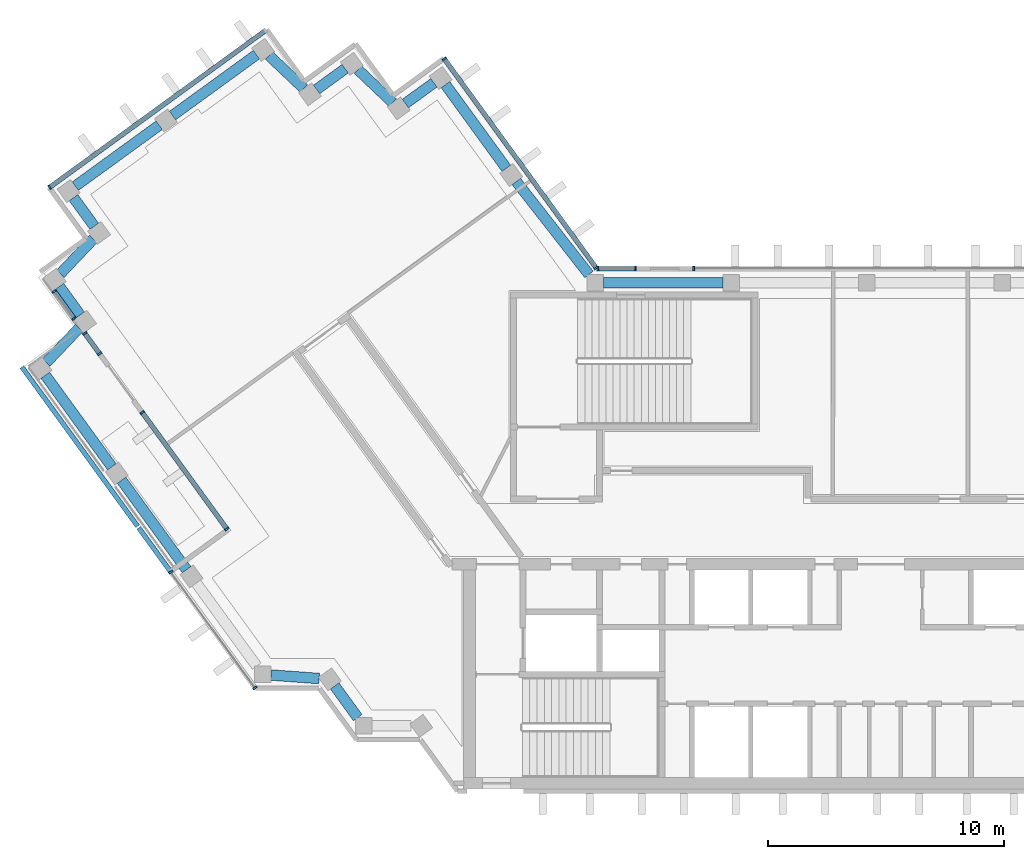
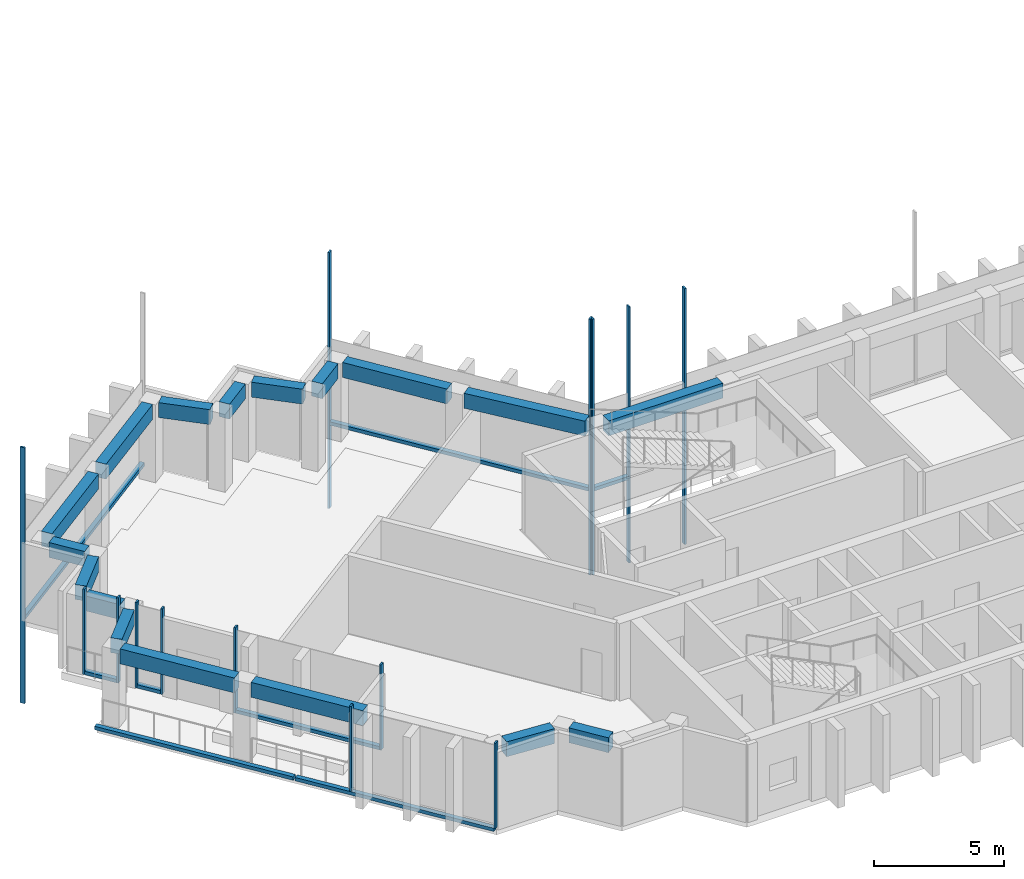
"""IFC4 building model written with IfcOpenShell, lengths in metres."""

from ifc_helpers import new_model, si_unit, direction, frame, origin, origin_2d, place, context, subcontext, project, spatial, rectangle, extrude, material, material_profile, profile_set, type_object, element, aggregate, save


model = new_model("IFC4")

# Units and contexts
model_context = context("Model", 3, precision=1e-05, world=origin(), true_north=direction((0.0, 1.0)))
body_context = subcontext(model_context, "Body", "Model", "MODEL_VIEW")
ifc_project = project(units=[si_unit("LENGTHUNIT", "METRE"), si_unit("AREAUNIT", "SQUARE_METRE"), si_unit("VOLUMEUNIT", "CUBIC_METRE"), si_unit("PLANEANGLEUNIT", "RADIAN"), si_unit("MASSUNIT", "GRAM", prefix="KILO")], contexts=[model_context])

# Site, building, storey
site_placement = place(None, origin())
site = spatial("IfcSite", under=ifc_project, at=site_placement, CompositionType="ELEMENT")
building_placement = place(site_placement, origin())
building = spatial("IfcBuilding", under=site, at=building_placement, Name="Quipu Civic Tower", CompositionType="ELEMENT")
storey_1_placement = place(building_placement, frame((0.0, 0.0, 257.0)))
storey_1 = spatial("IfcBuildingStorey", under=building, at=storey_1_placement, Name="L60", CompositionType="ELEMENT", Elevation=257.0)

# Curtain wall, members
ifc_material_1 = material(Name="Insulated glass unit", Category="glass")
curtain_wall_type = type_object("IfcCurtainWallType", Name="Office curtain wall CW1", PredefinedType="NOTDEFINED", material=ifc_material_1)
curtain_wall_1_placement = place(storey_1_placement, origin())
curtain_wall_1 = element("IfcCurtainWall", 1, at=curtain_wall_1_placement, inside=storey_1, type_object=curtain_wall_type, Name="Office curtain wall CW1 L60 run 2", PredefinedType="NOTDEFINED")
ifc_material_2 = material(Name="Anodised aluminium", Category="aluminium")
ifc_material_profile_1 = material_profile(ifc_material_2, rectangle(XDim=0.199951171875, YDim=0.080078125, at=origin_2d()), Name="RECT 200x80")
ifc_profile_set_1 = profile_set([ifc_material_profile_1], Name="Anodised aluminium")
member_type_1 = type_object("IfcMemberType", Name="Mullion CW1", PredefinedType="MULLION", material=ifc_profile_set_1)
member_1_placement = place(storey_1_placement, frame((-37.3740234375, 10.1328125, 0.080078125), z_axis=(0.0, 0.0, 1.0), x_axis=(0.809027142165, 0.587771284804, 0.0)))
member_1 = element("IfcMember", 2, at=member_1_placement, type_object=member_type_1, Name="CW1 mullion 1", PredefinedType="MULLION", context=body_context, shape_type="SweptSolid", body=[
    extrude(rectangle(XDim=0.199951171875, YDim=0.080078125, at=origin_2d()), origin(), (0.0, 0.0, 1.0), 4.0),
])
member_2_placement = place(storey_1_placement, frame((-36.539306640625, 8.98388671875, 0.080078125), z_axis=(0.0, 0.0, 1.0), x_axis=(0.809027142165, 0.587771284804, 0.0)))
member_2 = element("IfcMember", 3, at=member_2_placement, type_object=member_type_1, Name="CW1 mullion 2", PredefinedType="MULLION", context=body_context, shape_type="SweptSolid", body=[
    extrude(rectangle(XDim=0.199951171875, YDim=0.080078125, at=origin_2d()), origin(), (0.0, 0.0, 1.0), 4.0),
])

curtain_wall_2_placement = place(storey_1_placement, origin())
curtain_wall_2 = element("IfcCurtainWall", 4, at=curtain_wall_2_placement, inside=storey_1, type_object=curtain_wall_type, Name="Office curtain wall CW1 L60 run 3", PredefinedType="NOTDEFINED")
member_3_placement = place(storey_1_placement, frame((-36.080810546875, 8.352783203125, 0.080078125), z_axis=(0.0, 0.0, 1.0), x_axis=(0.808995421805, 0.587814943242, 0.0)))
member_3 = element("IfcMember", 5, at=member_3_placement, type_object=member_type_1, Name="CW1 mullion 1", PredefinedType="MULLION", context=body_context, shape_type="SweptSolid", body=[
    extrude(rectangle(XDim=0.199951171875, YDim=0.080078125, at=origin_2d()), origin(), (0.0, 0.0, 1.0), 4.0),
])
member_4_placement = place(storey_1_placement, frame((-35.451904296875, 7.487060546875, 0.080078125), z_axis=(0.0, 0.0, 1.0), x_axis=(0.808995421805, 0.587814943242, 0.0)))
member_4 = element("IfcMember", 6, at=member_4_placement, type_object=member_type_1, Name="CW1 mullion 2", PredefinedType="MULLION", context=body_context, shape_type="SweptSolid", body=[
    extrude(rectangle(XDim=0.199951171875, YDim=0.080078125, at=origin_2d()), origin(), (0.0, 0.0, 1.0), 4.0),
])

curtain_wall_3_placement = place(storey_1_placement, origin())
curtain_wall_3 = element("IfcCurtainWall", 7, at=curtain_wall_3_placement, inside=storey_1, type_object=curtain_wall_type, Name="Office curtain wall CW1 L60 run 5", PredefinedType="NOTDEFINED")
member_5_placement = place(storey_1_placement, frame((-33.6416015625, 4.995361328125, 0.080078125), z_axis=(0.0, 0.0, 1.0), x_axis=(0.809015003837, 0.587787992023, 0.0)))
member_5 = element("IfcMember", 8, at=member_5_placement, type_object=member_type_1, Name="CW1 mullion 1", PredefinedType="MULLION", context=body_context, shape_type="SweptSolid", body=[
    extrude(rectangle(XDim=0.199951171875, YDim=0.080078125, at=origin_2d()), origin(), (0.0, 0.0, 1.0), 4.0),
])
member_6_placement = place(storey_1_placement, frame((-30.04443359375, 0.04443359375, 0.080078125), z_axis=(0.0, 0.0, 1.0), x_axis=(0.809015003837, 0.587787992023, 0.0)))
member_6 = element("IfcMember", 9, at=member_6_placement, type_object=member_type_1, Name="CW1 mullion 2", PredefinedType="MULLION", context=body_context, shape_type="SweptSolid", body=[
    extrude(rectangle(XDim=0.199951171875, YDim=0.080078125, at=origin_2d()), origin(), (0.0, 0.0, 1.0), 4.0),
])

curtain_wall_4_placement = place(storey_1_placement, origin())
curtain_wall_4 = element("IfcCurtainWall", 10, at=curtain_wall_4_placement, inside=storey_1, type_object=curtain_wall_type, Name="Office curtain wall CW1 L60 run 7", PredefinedType="NOTDEFINED")
member_7_placement = place(storey_1_placement, frame((-32.424560546875, -1.783447265625, 0.080078125), z_axis=(0.0, 0.0, 1.0), x_axis=(0.809021200129, 0.587779463525, 0.0)))
member_7 = element("IfcMember", 11, at=member_7_placement, type_object=member_type_1, Name="CW1 mullion 1", PredefinedType="MULLION", context=body_context, shape_type="SweptSolid", body=[
    extrude(rectangle(XDim=0.199951171875, YDim=0.080078125, at=origin_2d()), origin(), (0.0, 0.0, 1.0), 4.0),
])
member_8_placement = place(storey_1_placement, frame((-28.853271484375, -6.698974609375, 0.080078125), z_axis=(0.0, 0.0, 1.0), x_axis=(0.809021200129, 0.587779463525, 0.0)))
member_8 = element("IfcMember", 12, at=member_8_placement, type_object=member_type_1, Name="CW1 mullion 2", PredefinedType="MULLION", context=body_context, shape_type="SweptSolid", body=[
    extrude(rectangle(XDim=0.199951171875, YDim=0.080078125, at=origin_2d()), origin(), (0.0, 0.0, 1.0), 4.0),
])
aggregate(curtain_wall_4, [member_7, member_8])

# Curtain wall, member
curtain_wall_5_placement = place(storey_1_placement, origin())
curtain_wall_5 = element("IfcCurtainWall", 13, at=curtain_wall_5_placement, inside=storey_1, type_object=curtain_wall_type, Name="Office curtain wall CW1 L59 run 26", PredefinedType="NOTDEFINED")
member_9_placement = place(storey_1_placement, frame((-10.223388671875, 11.10009765625, -3.919921875), z_axis=(0.0, 0.0, 1.0), x_axis=(0.0, -1.0, 0.0)))
member_9 = element("IfcMember", 14, at=member_9_placement, type_object=member_type_1, Name="CW1 mullion 3", PredefinedType="MULLION", context=body_context, shape_type="SweptSolid", body=[
    extrude(rectangle(XDim=0.199951171875, YDim=0.080078125, at=origin_2d()), origin(), (0.0, 0.0, 1.0), 12.0),
])
aggregate(curtain_wall_5, [member_9])

# Curtain wall, members
curtain_wall_6_placement = place(storey_1_placement, origin())
curtain_wall_6 = element("IfcCurtainWall", 15, at=curtain_wall_6_placement, inside=storey_1, type_object=curtain_wall_type, Name="Office curtain wall CW1 L59 run 28", PredefinedType="NOTDEFINED")
member_10_placement = place(storey_1_placement, frame((-12.695068359375, 11.10009765625, -3.919921875), z_axis=(0.0, 0.0, 1.0), x_axis=(0.0, -1.0, 0.0)))
member_10 = element("IfcMember", 16, at=member_10_placement, type_object=member_type_1, Name="CW1 mullion 1", PredefinedType="MULLION", context=body_context, shape_type="SweptSolid", body=[
    extrude(rectangle(XDim=0.199951171875, YDim=0.080078125, at=origin_2d()), origin(), (0.0, 0.0, 1.0), 12.0),
])
member_11_placement = place(storey_1_placement, frame((-14.30419921875, 11.10009765625, -3.919921875), z_axis=(0.0, 0.0, 1.0), x_axis=(0.0, -1.0, 0.0)))
member_11 = element("IfcMember", 17, at=member_11_placement, type_object=member_type_1, Name="CW1 mullion 2", PredefinedType="MULLION", context=body_context, shape_type="SweptSolid", body=[
    extrude(rectangle(XDim=0.199951171875, YDim=0.080078125, at=origin_2d()), origin(), (0.0, 0.0, 1.0), 12.0),
])

curtain_wall_7_placement = place(storey_1_placement, origin())
curtain_wall_7 = element("IfcCurtainWall", 18, at=curtain_wall_7_placement, inside=storey_1, type_object=curtain_wall_type, Name="Office curtain wall CW1 L59 run 29", PredefinedType="NOTDEFINED")
member_12_placement = place(storey_1_placement, frame((-14.36767578125, 11.13232421875, -3.919921875), z_axis=(0.0, 0.0, 1.0), x_axis=(-0.809015163947, -0.587787771652, 0.0)))
member_12 = element("IfcMember", 19, at=member_12_placement, type_object=member_type_1, Name="CW1 mullion 1", PredefinedType="MULLION", context=body_context, shape_type="SweptSolid", body=[
    extrude(rectangle(XDim=0.199951171875, YDim=0.080078125, at=origin_2d()), origin(), (0.0, 0.0, 1.0), 12.0),
])
member_13_placement = place(storey_1_placement, frame((-20.8125, 20.002685546875, -3.919921875), z_axis=(0.0, 0.0, 1.0), x_axis=(-0.809015163947, -0.587787771652, 0.0)))
member_13 = element("IfcMember", 20, at=member_13_placement, type_object=member_type_1, Name="CW1 mullion 2", PredefinedType="MULLION", context=body_context, shape_type="SweptSolid", body=[
    extrude(rectangle(XDim=0.199951171875, YDim=0.080078125, at=origin_2d()), origin(), (0.0, 0.0, 1.0), 12.0),
])

# Curtain wall, member
curtain_wall_8_placement = place(storey_1_placement, origin())
curtain_wall_8 = element("IfcCurtainWall", 21, at=curtain_wall_8_placement, inside=storey_1, type_object=curtain_wall_type, Name="Office curtain wall CW1 L59 run 34", PredefinedType="NOTDEFINED")
member_14_placement = place(storey_1_placement, frame((-37.569091796875, 14.552490234375, -3.919921875), z_axis=(0.0, 0.0, 1.0), x_axis=(0.587787753918, -0.809015176832, 0.0)))
member_14 = element("IfcMember", 22, at=member_14_placement, type_object=member_type_1, Name="CW1 mullion 2", PredefinedType="MULLION", context=body_context, shape_type="SweptSolid", body=[
    extrude(rectangle(XDim=0.199951171875, YDim=0.080078125, at=origin_2d()), origin(), (0.0, 0.0, 1.0), 12.0),
])

# Beams
ifc_material_3 = material(Name="Concrete C50/60", Category="concrete")
ifc_material_profile_2 = material_profile(ifc_material_3, rectangle(XDim=0.449951171875, YDim=0.699951171875, at=origin_2d()), Name="RC450x700")
ifc_profile_set_2 = profile_set([ifc_material_profile_2], Name="Concrete C50/60")
beam_type = type_object("IfcBeamType", Name="Spandrel beam RC 450x700 C50/60", PredefinedType="SPANDREL", material=ifc_profile_set_2)
beam_1_placement = place(storey_1_placement, frame((-18.179443359375, 15.358154296875, 3.300048828125), z_axis=(-0.588201428764, 0.808714460857, 0.0), x_axis=(-0.808714460857, -0.588201428764, 0.0)))
element("IfcBeam", 23, at=beam_1_placement, inside=storey_1, type_object=beam_type, Name="Spandrel beam L60 W-IN-01 to T-Wi.0-W22", PredefinedType="SPANDREL", context=body_context, shape_type="SweptSolid", body=[
    extrude(rectangle(XDim=0.449951171875, YDim=0.699951171875, at=origin_2d()), origin(), (0.0, 0.0, 1.0), 4.394287109375),
])
beam_2_placement = place(storey_1_placement, frame((-21.25341796875, 18.989501953125, 3.300048828125), z_axis=(-0.809461336076, -0.587173181776, 0.0), x_axis=(0.587173181776, -0.809461336076, 0.0)))
element("IfcBeam", 24, at=beam_2_placement, inside=storey_1, type_object=beam_type, Name="Spandrel beam L60 T-Wi.0-W22 to T-Wi.1-W22", PredefinedType="SPANDREL", context=body_context, shape_type="SweptSolid", body=[
    extrude(rectangle(XDim=0.449951171875, YDim=0.699951171875, at=origin_2d()), origin(), (0.0, 0.0, 1.0), 1.498046875),
])
beam_3_placement = place(storey_1_placement, frame((-23.00732421875, 18.1494140625, 3.300048828125), z_axis=(-0.72511931772, 0.6886232461, 0.0), x_axis=(-0.6886232461, -0.72511931772, 0.0)))
element("IfcBeam", 25, at=beam_3_placement, inside=storey_1, type_object=beam_type, Name="Spandrel beam L60 T-Wi.1-W22 to T-Wi.2-W22", PredefinedType="SPANDREL", context=body_context, shape_type="SweptSolid", body=[
    extrude(rectangle(XDim=0.449951171875, YDim=0.699951171875, at=origin_2d()), origin(), (0.0, 0.0, 1.0), 2.03369140625),
])
beam_4_placement = place(storey_1_placement, frame((-25.02294921875, 19.589111328125, 3.300048828125), z_axis=(-0.808644589435, -0.588297482553, 0.0), x_axis=(0.588297482553, -0.808644589435, 0.0)))
element("IfcBeam", 26, at=beam_4_placement, inside=storey_1, type_object=beam_type, Name="Spandrel beam L60 T-Wi.2-W22 to T-Wi.3-W22", PredefinedType="SPANDREL", context=body_context, shape_type="SweptSolid", body=[
    extrude(rectangle(XDim=0.449951171875, YDim=0.699951171875, at=origin_2d()), origin(), (0.0, 0.0, 1.0), 1.500244140625),
])
beam_5_placement = place(storey_1_placement, frame((-26.777099609375, 18.74560546875, 3.300048828125), z_axis=(-0.725359138958, 0.688370626574, 0.0), x_axis=(-0.688370626574, -0.725359138958, 0.0)))
element("IfcBeam", 27, at=beam_5_placement, inside=storey_1, type_object=beam_type, Name="Spandrel beam L60 T-Wi.3-W22 to T-Wi.4-W22", PredefinedType="SPANDREL", context=body_context, shape_type="SweptSolid", body=[
    extrude(rectangle(XDim=0.449951171875, YDim=0.699951171875, at=origin_2d()), origin(), (0.0, 0.0, 1.0), 2.032958984375),
])
beam_6_placement = place(storey_1_placement, frame((-28.793212890625, 20.184326171875, 3.300048828125), z_axis=(-0.809146152767, -0.587607439931, 0.0), x_axis=(0.587607439931, -0.809146152767, 0.0)))
element("IfcBeam", 28, at=beam_6_placement, inside=storey_1, type_object=beam_type, Name="Spandrel beam L60 T-Wi.4-W22 to TIP-W-01-W22", PredefinedType="SPANDREL", context=body_context, shape_type="SweptSolid", body=[
    extrude(rectangle(XDim=0.449951171875, YDim=0.699951171875, at=origin_2d()), origin(), (0.0, 0.0, 1.0), 4.400390625),
])
beam_7_placement = place(storey_1_placement, frame((-32.920166015625, 17.187255859375, 3.300048828125), z_axis=(-0.809117270763, -0.587647208921, 0.0), x_axis=(0.587647208921, -0.809117270763, 0.0)))
element("IfcBeam", 29, at=beam_7_placement, inside=storey_1, type_object=beam_type, Name="Spandrel beam L60 TIP-W-01-W22 to T-Wo.0-W22", PredefinedType="SPANDREL", context=body_context, shape_type="SweptSolid", body=[
    extrude(rectangle(XDim=0.449951171875, YDim=0.699951171875, at=origin_2d()), origin(), (0.0, 0.0, 1.0), 4.40185546875),
])
beam_8_placement = place(storey_1_placement, frame((-36.55908203125, 14.112060546875, 3.300048828125), z_axis=(0.588345920092, -0.808609348394, 0.0), x_axis=(0.808609348394, 0.588345920092, 0.0)))
element("IfcBeam", 30, at=beam_8_placement, inside=storey_1, type_object=beam_type, Name="Spandrel beam L60 T-Wo.0-W22 to T-Wo.1-W22", PredefinedType="SPANDREL", context=body_context, shape_type="SweptSolid", body=[
    extrude(rectangle(XDim=0.449951171875, YDim=0.699951171875, at=origin_2d()), origin(), (0.0, 0.0, 1.0), 1.499755859375),
])
beam_9_placement = place(storey_1_placement, frame((-35.7158203125, 12.358154296875, 3.300048828125), z_axis=(-0.688247466856, -0.725475998477, 0.0), x_axis=(0.725475998477, -0.688247466856, 0.0)))
element("IfcBeam", 31, at=beam_9_placement, inside=storey_1, type_object=beam_type, Name="Spandrel beam L60 T-Wo.1-W22 to T-Wo.2-W22", PredefinedType="SPANDREL", context=body_context, shape_type="SweptSolid", body=[
    extrude(rectangle(XDim=0.449951171875, YDim=0.699951171875, at=origin_2d()), origin(), (0.0, 0.0, 1.0), 2.032958984375),
])
beam_10_placement = place(storey_1_placement, frame((-37.154541015625, 10.341796875, 3.300048828125), z_axis=(0.587164895097, -0.809467347066, 0.0), x_axis=(0.809467347066, 0.587164895097, 0.0)))
element("IfcBeam", 32, at=beam_10_placement, inside=storey_1, type_object=beam_type, Name="Spandrel beam L60 T-Wo.2-W22 to T-Wo.3-W22", PredefinedType="SPANDREL", context=body_context, shape_type="SweptSolid", body=[
    extrude(rectangle(XDim=0.449951171875, YDim=0.699951171875, at=origin_2d()), origin(), (0.0, 0.0, 1.0), 1.500244140625),
])
beam_11_placement = place(storey_1_placement, frame((-36.3134765625, 8.586181640625, 3.300048828125), z_axis=(-0.689175330605, -0.724594620244, 0.0), x_axis=(0.724594620244, -0.689175330605, 0.0)))
element("IfcBeam", 33, at=beam_11_placement, inside=storey_1, type_object=beam_type, Name="Spandrel beam L60 T-Wo.3-W22 to T-Wo.4-W22", PredefinedType="SPANDREL", context=body_context, shape_type="SweptSolid", body=[
    extrude(rectangle(XDim=0.449951171875, YDim=0.699951171875, at=origin_2d()), origin(), (0.0, 0.0, 1.0), 2.033447265625),
])
beam_12_placement = place(storey_1_placement, frame((-37.754150390625, 6.57177734375, 3.300048828125), z_axis=(0.587905928359, -0.808929304328, 0.0), x_axis=(0.808929304328, 0.587905928359, 0.0)))
element("IfcBeam", 34, at=beam_12_placement, inside=storey_1, type_object=beam_type, Name="Spandrel beam L60 T-Wo.4-W22 to W-OUT-02", PredefinedType="SPANDREL", context=body_context, shape_type="SweptSolid", body=[
    extrude(rectangle(XDim=0.449951171875, YDim=0.699951171875, at=origin_2d()), origin(), (0.0, 0.0, 1.0), 4.80712890625),
])
beam_13_placement = place(storey_1_placement, frame((-34.5166015625, 2.116943359375, 3.300048828125), z_axis=(0.587788656305, -0.809014521204, 0.0), x_axis=(0.809014521204, 0.587788656305, 0.0)))
element("IfcBeam", 35, at=beam_13_placement, inside=storey_1, type_object=beam_type, Name="Spandrel beam L60 W-OUT-02 to W-OUT-01", PredefinedType="SPANDREL", context=body_context, shape_type="SweptSolid", body=[
    extrude(rectangle(XDim=0.449951171875, YDim=0.699951171875, at=origin_2d()), origin(), (0.0, 0.0, 1.0), 4.7001953125),
])
beam_14_placement = place(storey_1_placement, frame((-28.175048828125, -6.155517578125, 3.300048828125), z_axis=(0.99737333325, -0.072432272649, 0.0), x_axis=(0.072432272649, 0.99737333325, 0.0)))
element("IfcBeam", 36, at=beam_14_placement, inside=storey_1, type_object=beam_type, Name="Spandrel beam L60 J-Wo.0 to J-Wo.1", PredefinedType="SPANDREL", context=body_context, shape_type="SweptSolid", body=[
    extrude(rectangle(XDim=0.449951171875, YDim=0.699951171875, at=origin_2d()), origin(), (0.0, 0.0, 1.0), 2.04931640625),
])
beam_15_placement = place(storey_1_placement, frame((-25.468505859375, -6.6201171875, 3.300048828125), z_axis=(0.588407300614, -0.80856468423, 0.0), x_axis=(0.80856468423, 0.588407300614, 0.0)))
element("IfcBeam", 37, at=beam_15_placement, inside=storey_1, type_object=beam_type, Name="Spandrel beam L60 J-Wo.1 to J-Wo.2", PredefinedType="SPANDREL", context=body_context, shape_type="SweptSolid", body=[
    extrude(rectangle(XDim=0.449951171875, YDim=0.699951171875, at=origin_2d()), origin(), (0.0, 0.0, 1.0), 1.663330078125),
])
beam_16_placement = place(storey_1_placement, frame((-8.987060546875, 10.5, 3.300048828125), z_axis=(-1.0, 0.0, 0.0), x_axis=(0.0, -1.0, 0.0)))
element("IfcBeam", 38, at=beam_16_placement, inside=storey_1, type_object=beam_type, Name="Spandrel beam L60 FRONT-04 to J-Wi.0", PredefinedType="SPANDREL", context=body_context, shape_type="SweptSolid", body=[
    extrude(rectangle(XDim=0.449951171875, YDim=0.699951171875, at=origin_2d()), origin(), (0.0, 0.0, 1.0), 5.05810546875),
])
beam_17_placement = place(storey_1_placement, frame((-14.6689453125, 10.85009765625, 3.300048828125), z_axis=(-0.616106034519, 0.787663223865, 0.0), x_axis=(-0.787663223865, -0.616106034519, 0.0)))
element("IfcBeam", 39, at=beam_17_placement, inside=storey_1, type_object=beam_type, Name="Spandrel beam L60 J-Wi.0 to W-IN-01", PredefinedType="SPANDREL", context=body_context, shape_type="SweptSolid", body=[
    extrude(rectangle(XDim=0.449951171875, YDim=0.699951171875, at=origin_2d()), origin(), (0.0, 0.0, 1.0), 5.013427734375),
])

# Storey
storey_2_placement = place(building_placement, frame((0.0, 0.0, 253.0)))
storey_2 = spatial("IfcBuildingStorey", under=building, at=storey_2_placement, Name="L59", CompositionType="ELEMENT", Elevation=253.0)

# Curtain wall, members
curtain_wall_9_placement = place(storey_2_placement, origin())
curtain_wall_9 = element("IfcCurtainWall", 40, at=curtain_wall_9_placement, inside=storey_2, type_object=curtain_wall_type, Name="Office curtain wall CW1 L59 run 4", PredefinedType="NOTDEFINED")
ifc_material_4 = material(Name="Anodised aluminium", Category="aluminium")
ifc_material_profile_3 = material_profile(ifc_material_4, rectangle(XDim=0.199951171875, YDim=0.159912109375, at=origin_2d()), Name="RECT 200x160")
ifc_profile_set_3 = profile_set([ifc_material_profile_3], Name="Anodised aluminium")
member_type_2 = type_object("IfcMemberType", Name="Transom CW1", PredefinedType="USERDEFINED", material=ifc_profile_set_3)
member_15_placement = place(storey_1_placement, frame((-38.7490234375, 6.92138671875, 0.0), z_axis=(0.587779098815, -0.809021465102, 0.0), x_axis=(0.809021465102, 0.587779098815, 0.0)))
member_15 = element("IfcMember", 41, at=member_15_placement, inside=storey_1, type_object=member_type_2, Name="CW1 transom 1.2", ObjectType="TRANSOM", PredefinedType="USERDEFINED", context=body_context, shape_type="SweptSolid", body=[
    extrude(rectangle(XDim=0.199951171875, YDim=0.159912109375, at=origin_2d()), origin(), (0.0, 0.0, 1.0), 8.35791015625),
])
member_16_placement = place(storey_1_placement, frame((-33.78955078125, 0.094970703125, 0.0), z_axis=(0.587812107925, -0.808997481935, 0.0), x_axis=(0.808997481935, 0.587812107925, 0.0)))
member_16 = element("IfcMember", 42, at=member_16_placement, inside=storey_1, type_object=member_type_2, Name="CW1 transom 2.2", ObjectType="TRANSOM", PredefinedType="USERDEFINED", context=body_context, shape_type="SweptSolid", body=[
    extrude(rectangle(XDim=0.199951171875, YDim=0.159912109375, at=origin_2d()), origin(), (0.0, 0.0, 1.0), 8.35791015625),
])
aggregate(curtain_wall_9, [member_15, member_16])

# Member
member_17_placement = place(storey_1_placement, frame((-37.3505859375, 10.100341796875, 0.159912109375), z_axis=(0.587716643915, -0.809066836834, 0.0), x_axis=(0.809066836834, 0.587716643915, 0.0)))
member_17 = element("IfcMember", 43, at=member_17_placement, type_object=member_type_2, Name="CW1 transom 1.1", ObjectType="TRANSOM", PredefinedType="USERDEFINED", context=body_context, shape_type="SweptSolid", body=[
    extrude(rectangle(XDim=0.199951171875, YDim=0.159912109375, at=origin_2d()), origin(), (0.0, 0.0, 1.0), 1.340087890625),
])

aggregate(curtain_wall_1, [member_1, member_2, member_17])

member_18_placement = place(storey_1_placement, frame((-36.057373046875, 8.320556640625, 0.159912109375), z_axis=(0.587819781808, -0.808991906087, 0.0), x_axis=(0.808991906087, 0.587819781808, 0.0)))
member_18 = element("IfcMember", 44, at=member_18_placement, type_object=member_type_2, Name="CW1 transom 1.1", ObjectType="TRANSOM", PredefinedType="USERDEFINED", context=body_context, shape_type="SweptSolid", body=[
    extrude(rectangle(XDim=0.199951171875, YDim=0.159912109375, at=origin_2d()), origin(), (0.0, 0.0, 1.0), 0.990234375),
])

aggregate(curtain_wall_2, [member_3, member_4, member_18])

member_19_placement = place(storey_1_placement, frame((-33.617919921875, 4.962890625, 0.159912109375), z_axis=(0.587777430815, -0.809022676953, 0.0), x_axis=(0.809022676953, 0.587777430815, 0.0)))
member_19 = element("IfcMember", 45, at=member_19_placement, type_object=member_type_2, Name="CW1 transom 1.1", ObjectType="TRANSOM", PredefinedType="USERDEFINED", context=body_context, shape_type="SweptSolid", body=[
    extrude(rectangle(XDim=0.199951171875, YDim=0.159912109375, at=origin_2d()), origin(), (0.0, 0.0, 1.0), 6.039306640625),
])

aggregate(curtain_wall_3, [member_5, member_6, member_19])

member_20_placement = place(storey_1_placement, frame((-12.735107421875, 11.10009765625, 0.080078125), z_axis=(-1.0, 0.0, 0.0), x_axis=(0.0, -1.0, 0.0)))
member_20 = element("IfcMember", 46, at=member_20_placement, type_object=member_type_2, Name="CW1 transom 1.2", ObjectType="TRANSOM", PredefinedType="USERDEFINED", context=body_context, shape_type="SweptSolid", body=[
    extrude(rectangle(XDim=0.199951171875, YDim=0.159912109375, at=origin_2d()), origin(), (0.0, 0.0, 1.0), 1.529052734375),
])

aggregate(curtain_wall_6, [member_10, member_11, member_20])

member_21_placement = place(storey_1_placement, frame((-14.39111328125, 11.164794921875, 0.080078125), z_axis=(-0.587796859727, 0.809008560953, 0.0), x_axis=(-0.809008560953, -0.587796859727, 0.0)))
member_21 = element("IfcMember", 47, at=member_21_placement, type_object=member_type_2, Name="CW1 transom 1.2", ObjectType="TRANSOM", PredefinedType="USERDEFINED", context=body_context, shape_type="SweptSolid", body=[
    extrude(rectangle(XDim=0.199951171875, YDim=0.159912109375, at=origin_2d()), origin(), (0.0, 0.0, 1.0), 10.88427734375),
])

aggregate(curtain_wall_7, [member_12, member_13, member_21])

member_22_placement = place(storey_1_placement, frame((-28.443359375, 21.1826171875, 0.080078125), z_axis=(-0.809022463805, -0.587777724194, 0.0), x_axis=(0.587777724194, -0.809022463805, 0.0)))
member_22 = element("IfcMember", 48, at=member_22_placement, type_object=member_type_2, Name="CW1 transom 1.2", ObjectType="TRANSOM", PredefinedType="USERDEFINED", context=body_context, shape_type="SweptSolid", body=[
    extrude(rectangle(XDim=0.199951171875, YDim=0.159912109375, at=origin_2d()), origin(), (0.0, 0.0, 1.0), 11.240234375),
])

aggregate(curtain_wall_8, [member_14, member_22])

save(model, "model.ifc")
